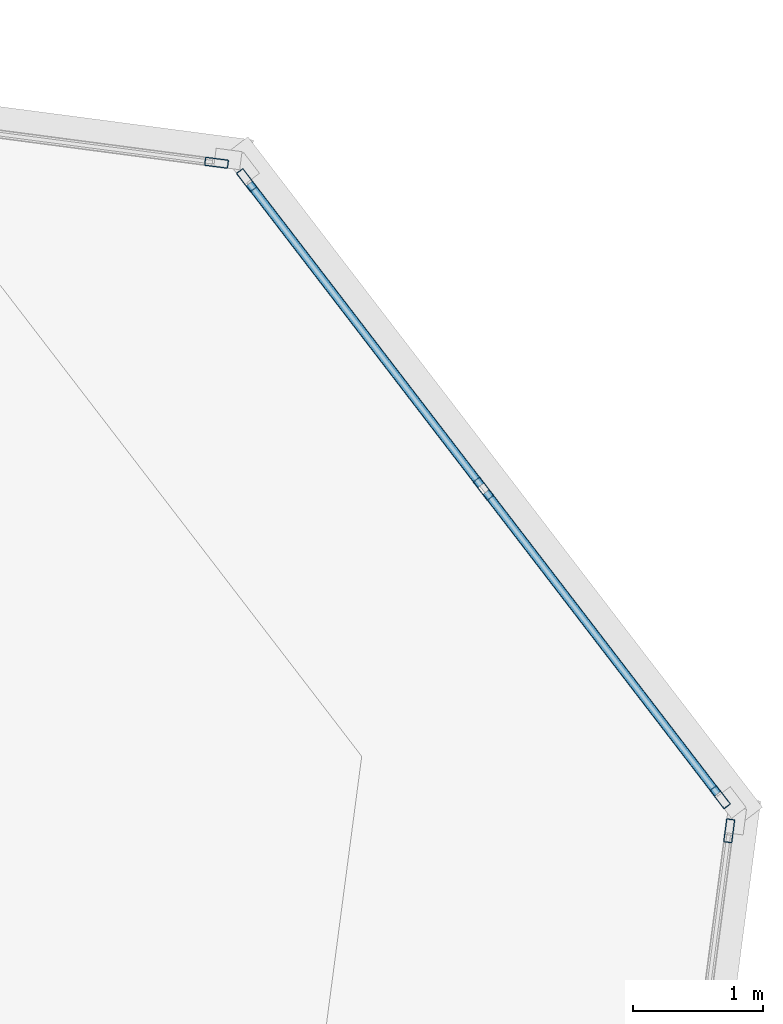
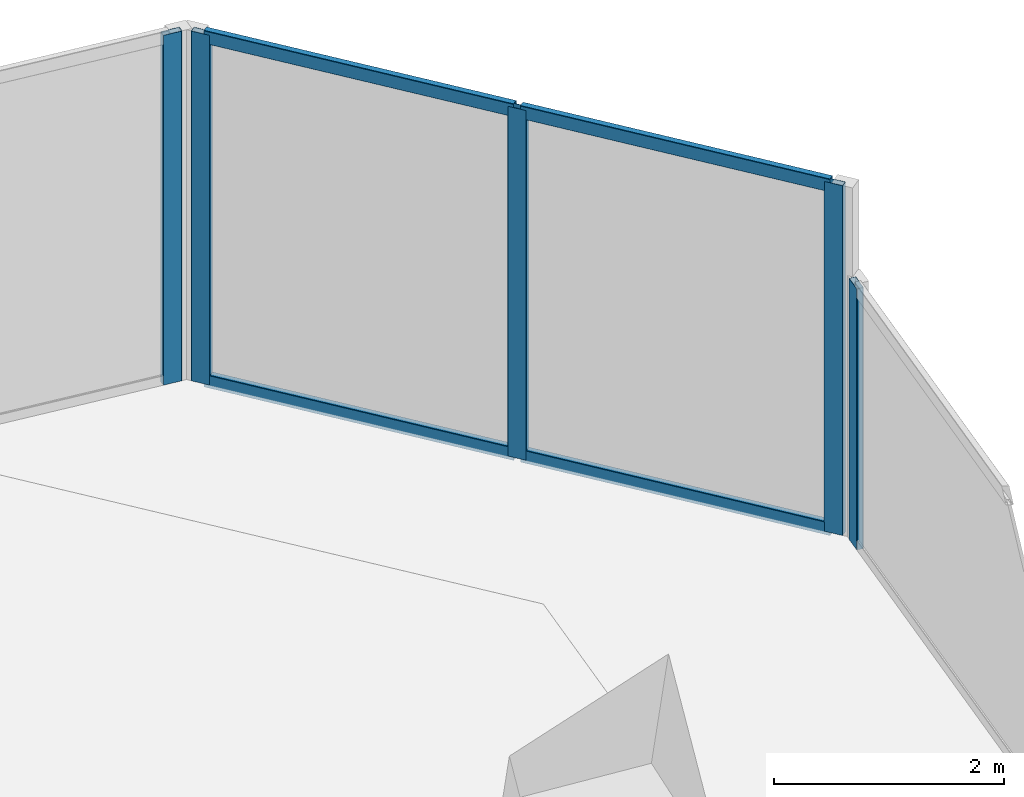
# One storey, part 14 of 24: 9 members, 3 elements without a shape of their own.
"""IFC4 building model written with IfcOpenShell, lengths in metres."""

from ifc_helpers import new_model, si_unit, direction, frame, origin, origin_2d, place, context, subcontext, project, spatial, hollow_rectangle, extrude, source, transform, mapped, material, material_profile, profile_set, type_object, element, aggregate, save


model = new_model("IFC4")

# Units and contexts
model_context = context("Model", 3, precision=1e-05, world=origin(), true_north=direction((0.0, 1.0)))
body_context = subcontext(model_context, "Body", "Model", "MODEL_VIEW")
ifc_project = project(units=[si_unit("LENGTHUNIT", "METRE"), si_unit("AREAUNIT", "SQUARE_METRE"), si_unit("VOLUMEUNIT", "CUBIC_METRE"), si_unit("PLANEANGLEUNIT", "RADIAN"), si_unit("MASSUNIT", "GRAM", prefix="KILO")], contexts=[model_context])

# Site, building, storey
site_placement = place(None, origin())
site = spatial("IfcSite", under=ifc_project, at=site_placement, CompositionType="ELEMENT")
building_placement = place(site_placement, origin())
building = spatial("IfcBuilding", under=site, at=building_placement, Name="Torre Montelarca", CompositionType="ELEMENT")
storey_placement = place(building_placement, frame((0.0, 0.0, 66.39990234375)))
storey = spatial("IfcBuildingStorey", under=building, at=storey_placement, Name="L14", CompositionType="ELEMENT", Elevation=66.39990234375)

# Curtain wall, members
ifc_material_1 = material(Name="Insulated low-E laminated glass", Category="glass")
curtain_wall_type = type_object("IfcCurtainWallType", Name="CW-SYS-Z1", PredefinedType="USERDEFINED", material=ifc_material_1)
curtain_wall_1_placement = place(storey_placement, origin())
curtain_wall_1 = element("IfcCurtainWall", 1, at=curtain_wall_1_placement, inside=storey, type_object=curtain_wall_type, Name="L14 Curtain Wall Run CW-T3-L14-E07-B1", ObjectType="UNITISED GLAZING", PredefinedType="USERDEFINED")
ifc_material_2 = material(Name="Anodised aluminium AA 6063-T6", Category="aluminium")
ifc_material_profile_1 = material_profile(ifc_material_2, hollow_rectangle(XDim=0.06494140625, YDim=0.139892578125, WallThickness=0.00390625, InnerFilletRadius=0.00390625, OuterFilletRadius=0.008056640625, at=origin_2d()), Name="ALU65X140X4", Category="aluminium")
ifc_profile_set_1 = profile_set([ifc_material_profile_1], Name="Anodised aluminium AA 6063-T6")
member_type_1 = type_object("IfcMemberType", Name="CWT-ALU140", PredefinedType="USERDEFINED", material=ifc_profile_set_1)
shared_shape_1 = source(origin(), body_context, "Body", "SweptSolid", [
    extrude(hollow_rectangle(XDim=0.06494140625, YDim=0.139892578125, WallThickness=0.00390625, InnerFilletRadius=0.00390625, OuterFilletRadius=0.008056640625, at=origin_2d()), origin(), (0.0, 0.0, 1.0), 2.918701171875),
])
member_1_placement = place(storey_placement, frame((64.82080078125, 38.169677734375, 0.03271484375), z_axis=(-0.608796748058, 0.793326237783, 0.0), x_axis=(-0.793326237783, -0.608796748058, 0.0)))
member_1 = element("IfcMember", 2, at=member_1_placement, type_object=member_type_1, Name="CW transom 1.1", ObjectType="TRANSOM", PredefinedType="USERDEFINED", context=body_context, shape_type="MappedRepresentation", body=[
    mapped(shared_shape_1, transform((0.0, 0.0, 0.0), scale=1.0)),
])
member_2_placement = place(storey_placement, frame((64.82080078125, 38.169677734375, 3.6875), z_axis=(-0.608796748058, 0.793326237783, 0.0), x_axis=(-0.793326237783, -0.608796748058, 0.0)))
member_2 = element("IfcMember", 3, at=member_2_placement, type_object=member_type_1, Name="CW transom 1.2", ObjectType="TRANSOM", PredefinedType="USERDEFINED", context=body_context, shape_type="MappedRepresentation", body=[
    mapped(shared_shape_1, transform((0.0, 0.0, 0.0), scale=1.0)),
])
member_3_placement = place(storey_placement, frame((63.00439453125, 40.53662109375, 0.03271484375), z_axis=(-0.608703699202, 0.793397634593, 0.0), x_axis=(-0.793397634593, -0.608703699202, 0.0)))
member_3 = element("IfcMember", 4, at=member_3_placement, type_object=member_type_1, Name="CW transom 2.1", ObjectType="TRANSOM", PredefinedType="USERDEFINED", context=body_context, shape_type="MappedRepresentation", body=[
    mapped(shared_shape_1, transform((0.0, 0.0, 0.0), scale=1.0)),
])
member_4_placement = place(storey_placement, frame((63.00439453125, 40.53662109375, 3.6875), z_axis=(-0.608703699202, 0.793397634593, 0.0), x_axis=(-0.793397634593, -0.608703699202, 0.0)))
member_4 = element("IfcMember", 5, at=member_4_placement, type_object=member_type_1, Name="CW transom 2.2", ObjectType="TRANSOM", PredefinedType="USERDEFINED", context=body_context, shape_type="MappedRepresentation", body=[
    mapped(shared_shape_1, transform((0.0, 0.0, 0.0), scale=1.0)),
])
ifc_material_profile_2 = material_profile(ifc_material_2, hollow_rectangle(XDim=0.06494140625, YDim=0.179931640625, WallThickness=0.00390625, InnerFilletRadius=0.00390625, OuterFilletRadius=0.008056640625, at=origin_2d()), Name="ALU65X180X4", Category="aluminium")
ifc_profile_set_2 = profile_set([ifc_material_profile_2], Name="Anodised aluminium AA 6063-T6")
member_type_2 = type_object("IfcMemberType", Name="CWM-ALU180", PredefinedType="MULLION", material=ifc_profile_set_2)
shared_shape_2 = source(origin(), body_context, "Body", "SweptSolid", [
    extrude(hollow_rectangle(XDim=0.06494140625, YDim=0.179931640625, WallThickness=0.00390625, InnerFilletRadius=0.00390625, OuterFilletRadius=0.008056640625, at=origin_2d()), origin(), (0.0, 0.0, 1.0), 3.72021484375),
])
member_5_placement = place(storey_placement, frame((64.840576171875, 38.143798828125, 0.0), z_axis=(0.0, 0.0, 1.0), x_axis=(-0.793359224776, -0.608753760122, 0.0)))
member_5 = element("IfcMember", 6, at=member_5_placement, type_object=member_type_2, Name="CW mullion 1", PredefinedType="MULLION", context=body_context, shape_type="MappedRepresentation", body=[
    mapped(shared_shape_2, transform((0.0, 0.0, 0.0), scale=1.0)),
])
member_6_placement = place(storey_placement, frame((63.024169921875, 40.510986328125, 0.0), z_axis=(0.0, 0.0, 1.0), x_axis=(-0.793359224776, -0.608753760122, 0.0)))
member_6 = element("IfcMember", 7, at=member_6_placement, type_object=member_type_2, Name="CW mullion 2", PredefinedType="MULLION", context=body_context, shape_type="MappedRepresentation", body=[
    mapped(shared_shape_2, transform((0.0, 0.0, 0.0), scale=1.0)),
])
member_7_placement = place(storey_placement, frame((61.207763671875, 42.8779296875, 0.0), z_axis=(0.0, 0.0, 1.0), x_axis=(-0.793359224776, -0.608753760122, 0.0)))
member_7 = element("IfcMember", 8, at=member_7_placement, type_object=member_type_2, Name="CW mullion 3", PredefinedType="MULLION", context=body_context, shape_type="MappedRepresentation", body=[
    mapped(shared_shape_2, transform((0.0, 0.0, 0.0), scale=1.0)),
])
aggregate(curtain_wall_1, [member_5, member_6, member_7, member_1, member_2, member_3, member_4])

# Curtain wall, member
curtain_wall_2_placement = place(storey_placement, origin())
curtain_wall_2 = element("IfcCurtainWall", 9, at=curtain_wall_2_placement, inside=storey, type_object=curtain_wall_type, Name="L14 Curtain Wall Run CW-T3-L14-E08-B1", ObjectType="UNITISED GLAZING", PredefinedType="USERDEFINED")
member_8_placement = place(storey_placement, frame((60.9765625, 43.011474609375, 0.0), z_axis=(0.0, 0.0, 1.0), x_axis=(-0.130524544449, -0.991445078306, 0.0)))
member_8 = element("IfcMember", 10, at=member_8_placement, type_object=member_type_2, Name="CW mullion 1", PredefinedType="MULLION", context=body_context, shape_type="MappedRepresentation", body=[
    mapped(shared_shape_2, transform((0.0, 0.0, 0.0), scale=1.0)),
])
aggregate(curtain_wall_2, [member_8])

curtain_wall_3_placement = place(storey_placement, origin())
curtain_wall_3 = element("IfcCurtainWall", 11, at=curtain_wall_3_placement, inside=storey, type_object=curtain_wall_type, Name="L14 Curtain Wall Run CW-T3-L14-E06-B1", ObjectType="UNITISED GLAZING", PredefinedType="USERDEFINED")
shared_shape_3 = source(origin(), body_context, "Body", "SweptSolid", [
    extrude(hollow_rectangle(XDim=0.06494140625, YDim=0.179931640625, WallThickness=0.00390625, InnerFilletRadius=0.00390625, OuterFilletRadius=0.008056640625, at=origin_2d()), origin(), (0.0, 0.0, 1.0), 2.775146484375),
])
member_9_placement = place(storey_placement, frame((64.90966796875, 37.885986328125, 0.0), z_axis=(0.0, 0.0, 1.0), x_axis=(-0.991445845328, 0.130518718127, 0.0)))
member_9 = element("IfcMember", 12, at=member_9_placement, type_object=member_type_2, Name="CW mullion 3", PredefinedType="MULLION", context=body_context, shape_type="MappedRepresentation", body=[
    mapped(shared_shape_3, transform((0.0, 0.0, 0.0), scale=1.0)),
])
aggregate(curtain_wall_3, [member_9])

save(model, "model.ifc")
